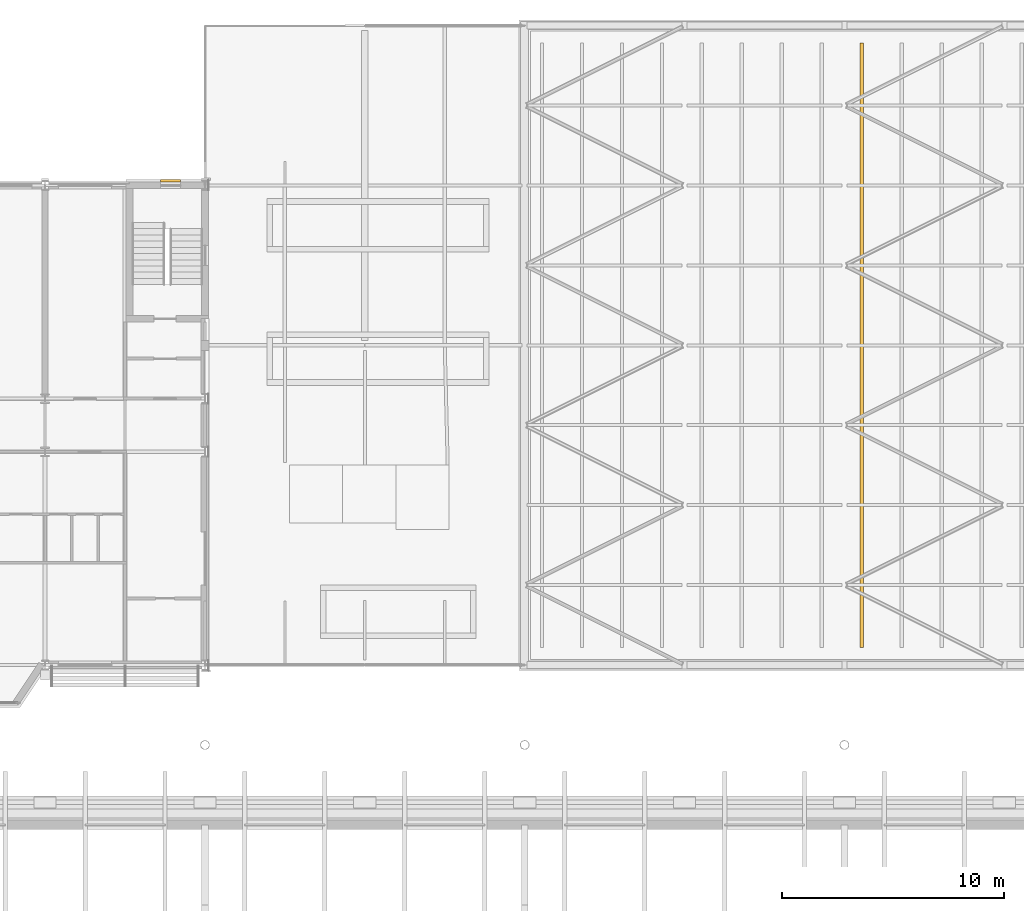
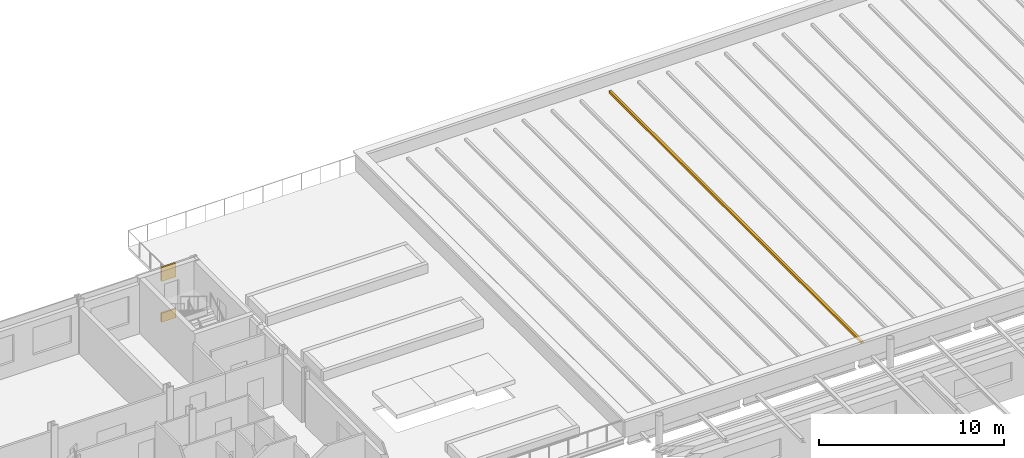
# One storey, part 108 of 110: 3 coverings.
"""IFC4 building model written with IfcOpenShell, lengths in metres."""

from ifc_helpers import new_model, si_unit, direction, frame, origin, origin_2d, place, context, subcontext, project, spatial, rectangle, extrude, material, layer, layer_set, type_object, element, save


model = new_model("IFC4")

# Units and contexts
model_context = context("Model", 3, precision=1e-05, world=origin(), true_north=direction((0.0, 1.0)))
body_context = subcontext(model_context, "Body", "Model", "MODEL_VIEW")
ifc_project = project(units=[si_unit("LENGTHUNIT", "METRE"), si_unit("AREAUNIT", "SQUARE_METRE"), si_unit("VOLUMEUNIT", "CUBIC_METRE"), si_unit("PLANEANGLEUNIT", "RADIAN"), si_unit("MASSUNIT", "GRAM", prefix="KILO")], contexts=[model_context])

# Site, building, storey
site_placement = place(None, origin())
site = spatial("IfcSite", under=ifc_project, at=site_placement, CompositionType="ELEMENT")
building_placement = place(site_placement, origin())
building = spatial("IfcBuilding", under=site, at=building_placement, Name="Kupolbacken Congress Centre", CompositionType="ELEMENT")
storey_placement = place(building_placement, frame((0.0, 0.0, 18.0)))
storey = spatial("IfcBuildingStorey", under=building, at=storey_placement, Name="L05", CompositionType="ELEMENT", Elevation=18.0)

# Coverings
ifc_material_1 = material(Name="Standing seam zinc roofing on boarding", Category="metal")
ifc_layer_1 = layer(ifc_material_1, 0.080078125)
ifc_layer_set_1 = layer_set([ifc_layer_1], Name="Standing seam zinc roofing on boarding")
covering_type_1 = type_object("IfcCoveringType", Name="CV12 standing seam roof rib 80", PredefinedType="ROOFING", material=ifc_layer_set_1)
covering_1_placement = place(storey_placement, frame((166.3798828125, 136.800048828125, 0.2900390625), z_axis=(0.0, 0.0, 1.0), x_axis=(0.0, 1.0, 0.0)))
element("IfcCovering", 1, at=covering_1_placement, inside=storey, type_object=covering_type_1, Name="F/B/rib/08", PredefinedType="ROOFING", context=body_context, shape_type="SweptSolid", body=[
    extrude(rectangle(XDim=27.239990234375, YDim=0.14990234375, at=origin_2d()), origin(), (0.0, 0.0, 1.0), 0.14990234375),
])
ifc_material_2 = material(Name="Brick cladding", Category="masonry")
ifc_layer_2 = layer(ifc_material_2, 0.10791015625)
ifc_layer_set_2 = layer_set([ifc_layer_2], Name="Brick cladding")
covering_type_2 = type_object("IfcCoveringType", Name="CV2 brick cladding band 108", PredefinedType="CLADDING", material=ifc_layer_set_2)
covering_2_placement = place(storey_placement, frame((135.25, 144.2041015625, 0.0), z_axis=(0.0, 0.0, 1.0), x_axis=(-1.0, 0.0, 0.0)))
element("IfcCovering", 2, at=covering_2_placement, inside=storey, type_object=covering_type_2, Name="S/core/L05/131/face2", PredefinedType="CLADDING", context=body_context, shape_type="SweptSolid", body=[
    extrude(rectangle(XDim=0.89990234375, YDim=0.10791015625, at=origin_2d()), origin(), (0.0, 0.0, 1.0), 0.60009765625),
])
covering_3_placement = place(storey_placement, frame((135.25, 144.2041015625, 2.699951171875), z_axis=(0.0, 0.0, 1.0), x_axis=(-1.0, 0.0, 0.0)))
element("IfcCovering", 3, at=covering_3_placement, inside=storey, type_object=covering_type_2, Name="S/core/L05/131/face3", PredefinedType="CLADDING", context=body_context, shape_type="SweptSolid", body=[
    extrude(rectangle(XDim=0.89990234375, YDim=0.10791015625, at=origin_2d()), origin(), (0.0, 0.0, 1.0), 0.89990234375),
])

save(model, "model.ifc")
